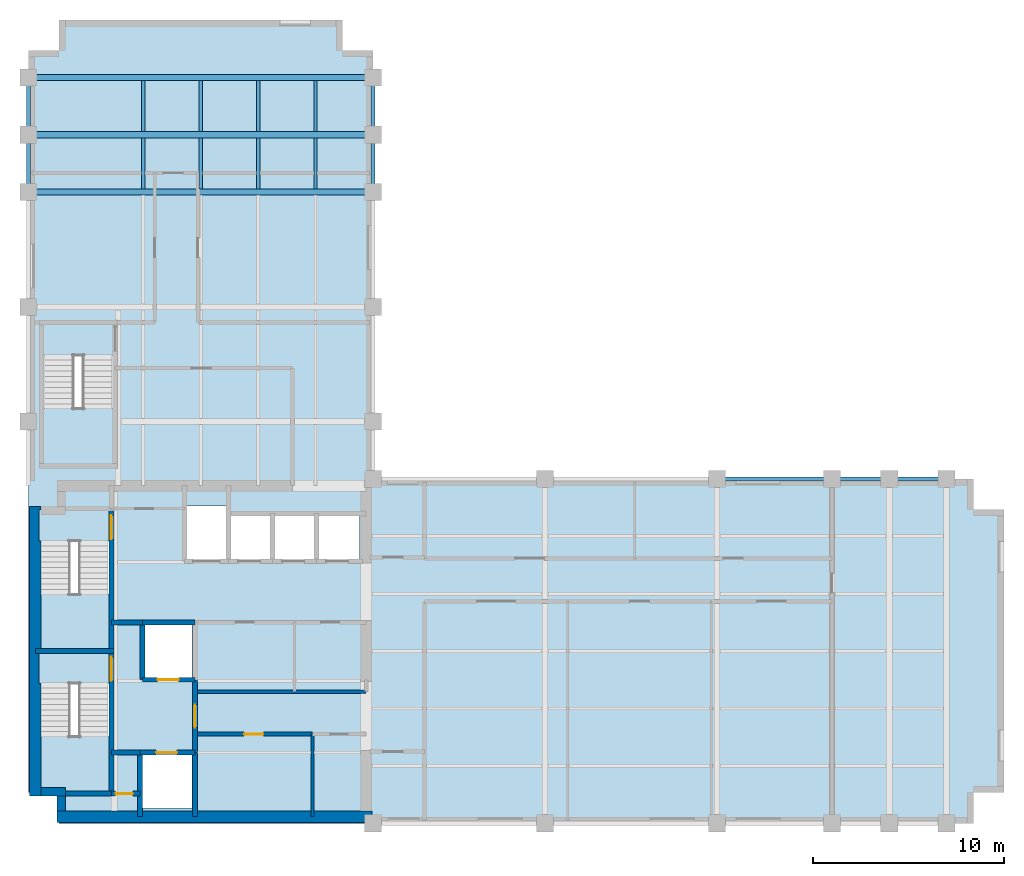
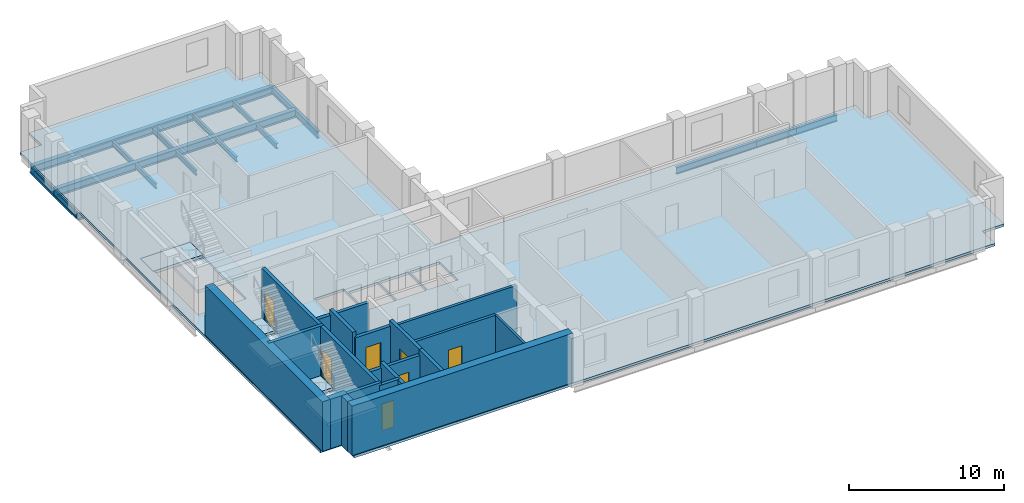
# One storey, part 2 of 6: 21 walls, 18 beams, 7 doors, 7 slabs, 7 openings, 3 elements without a shape of their own.
"""IFC4 building model written with IfcOpenShell, lengths in metres."""

from ifc_helpers import new_model, si_unit, direction, frame, frame_2d, origin, origin_2d, place, context, subcontext, project, spatial, polyline, rectangle, i_section, outline, extrude, material, layer, layer_set, material_profile, profile_set, type_object, element, fill, aggregate, save


model = new_model("IFC4")

# Units and contexts
model_context = context("Model", 3, precision=1e-05, world=origin(), true_north=direction((0.0, 1.0)))
body_context = subcontext(model_context, "Body", "Model", "MODEL_VIEW")
ifc_project = project(units=[si_unit("LENGTHUNIT", "METRE"), si_unit("AREAUNIT", "SQUARE_METRE"), si_unit("VOLUMEUNIT", "CUBIC_METRE"), si_unit("PLANEANGLEUNIT", "RADIAN"), si_unit("MASSUNIT", "GRAM", prefix="KILO")], contexts=[model_context])

# Site, building, storey
site_placement = place(None, origin())
site = spatial("IfcSite", under=ifc_project, at=site_placement, CompositionType="ELEMENT")
building_placement = place(site_placement, origin())
building = spatial("IfcBuilding", under=site, at=building_placement, Name="Mawjdan Bourse Tower", CompositionType="ELEMENT")
storey_placement = place(building_placement, frame((0.0, 0.0, 187.800048828125)))
storey = spatial("IfcBuildingStorey", under=building, at=storey_placement, Name="L45", CompositionType="ELEMENT", Elevation=187.800048828125)

# Beams
ifc_material_1 = material(Name="Structural Steel S355", Category="steel")
ifc_material_profile_1 = material_profile(ifc_material_1, i_section(OverallWidth=0.324951171875, OverallDepth=0.616943359375, WebThickness=0.013916015625, FlangeThickness=0.021484375, FilletRadius=0.017333984375, at=origin_2d()), Name="W24X117")
ifc_profile_set_1 = profile_set([ifc_material_profile_1], Name="Structural Steel S355")
beam_type_1 = type_object("IfcBeamType", Name="GRD-W24X117", PredefinedType="BEAM", material=ifc_profile_set_1)
for number, where, z_axis, x_axis, name in (
    (1, (6.0, 36.0, -0.508544921875), (1.0, 0.0, 0.0), (0.0, 1.0, 0.0), "L45 North Wing Clear-Span Girder 049"),
    (2, (6.0, 39.0, -0.508544921875), (1.0, 0.0, 0.0), (0.0, 1.0, 0.0), "L45 North Wing Clear-Span Girder 050"),
    (3, (6.0, 42.0, -0.508544921875), (1.0, 0.0, 0.0), (0.0, 1.0, 0.0), "L45 North Wing Clear-Span Girder 051"),
):
    element("IfcBeam", number, at=place(storey_placement, frame(where, z_axis=z_axis, x_axis=x_axis)), inside=storey, type_object=beam_type_1, Name=name, PredefinedType="BEAM", context=body_context, shape_type="SweptSolid", body=[
        extrude(i_section(OverallWidth=0.324951171875, OverallDepth=0.616943359375, WebThickness=0.013916015625, FlangeThickness=0.021484375, FilletRadius=0.017333984375, at=origin_2d()), origin(), (0.0, 0.0, 1.0), 18.0),
    ])
ifc_material_profile_2 = material_profile(ifc_material_1, i_section(OverallWidth=0.177978515625, OverallDepth=0.406982421875, WebThickness=0.0078125, FlangeThickness=0.0126953125, FilletRadius=0.01025390625, at=origin_2d()), Name="W16X40")
ifc_profile_set_2 = profile_set([ifc_material_profile_2], Name="Structural Steel S355")
beam_type_2 = type_object("IfcBeamType", Name="JST-W16X40", PredefinedType="JOIST", material=ifc_profile_set_2)
for number, where, z_axis, x_axis, name in (
    (4, (12.0, 36.160400390625, -0.403564453125), (0.0, 1.0, 0.0), (-1.0, 0.0, 0.0), "L45 North Wing Composite Joist 065"),
    (5, (12.0, 39.160400390625, -0.403564453125), (0.0, 1.0, 0.0), (-1.0, 0.0, 0.0), "L45 North Wing Composite Joist 066"),
    (6, (15.0, 36.160400390625, -0.403564453125), (0.0, 1.0, 0.0), (-1.0, 0.0, 0.0), "L45 North Wing Composite Joist 070"),
    (7, (15.0, 39.160400390625, -0.403564453125), (0.0, 1.0, 0.0), (-1.0, 0.0, 0.0), "L45 North Wing Composite Joist 071"),
    (8, (18.0, 36.160400390625, -0.403564453125), (0.0, 1.0, 0.0), (-1.0, 0.0, 0.0), "L45 North Wing Composite Joist 075"),
    (9, (18.0, 39.160400390625, -0.403564453125), (0.0, 1.0, 0.0), (-1.0, 0.0, 0.0), "L45 North Wing Composite Joist 076"),
    (10, (21.0, 36.160400390625, -0.403564453125), (0.0, 1.0, 0.0), (-1.0, 0.0, 0.0), "L45 North Wing Composite Joist 080"),
    (11, (21.0, 39.160400390625, -0.403564453125), (0.0, 1.0, 0.0), (-1.0, 0.0, 0.0), "L45 North Wing Composite Joist 081"),
):
    element("IfcBeam", number, at=place(storey_placement, frame(where, z_axis=z_axis, x_axis=x_axis)), inside=storey, type_object=beam_type_2, Name=name, PredefinedType="JOIST", context=body_context, shape_type="SweptSolid", body=[
        extrude(i_section(OverallWidth=0.177978515625, OverallDepth=0.406982421875, WebThickness=0.0078125, FlangeThickness=0.0126953125, FilletRadius=0.01025390625, at=origin_2d()), origin(), (0.0, 0.0, 1.0), 2.67919921875),
    ])
ifc_material_profile_3 = material_profile(ifc_material_1, i_section(OverallWidth=0.2119140625, OverallDepth=0.5439453125, WebThickness=0.01318359375, FlangeThickness=0.021240234375, FilletRadius=0.01708984375, at=origin_2d()), Name="W21X83")
ifc_profile_set_3 = profile_set([ifc_material_profile_3], Name="Structural Steel S355")
beam_type_3 = type_object("IfcBeamType", Name="SPN-W21X83", PredefinedType="SPANDREL", material=ifc_profile_set_3)
beam_placement = place(storey_placement, frame((42.0, 21.0, -0.47216796875), z_axis=(1.0, 0.0, 0.0), x_axis=(0.0, 1.0, 0.0)))
element("IfcBeam", 12, at=beam_placement, inside=storey, type_object=beam_type_3, Name="L45 Perimeter Masonry-Shelf Spandrel 014", PredefinedType="SPANDREL", context=body_context, shape_type="SweptSolid", body=[
    extrude(i_section(OverallWidth=0.2119140625, OverallDepth=0.5439453125, WebThickness=0.01318359375, FlangeThickness=0.021240234375, FilletRadius=0.01708984375, at=origin_2d()), origin(), (0.0, 0.0, 1.0), 6.0),
])
for number, where, z_axis, x_axis, name in (
    (13, (48.0, 21.0, -0.47216796875), (1.0, 0.0, 0.0), (0.0, 1.0, 0.0), "L45 Perimeter Masonry-Shelf Spandrel 015"),
    (14, (51.0, 21.0, -0.47216796875), (1.0, 0.0, 0.0), (0.0, 1.0, 0.0), "L45 Perimeter Masonry-Shelf Spandrel 016"),
    (15, (6.0, 36.0, -0.47216796875), (0.0, 1.0, 0.0), (-1.0, 0.0, 0.0), "L45 North Wing Spandrel 055"),
    (16, (6.0, 39.0, -0.47216796875), (0.0, 1.0, 0.0), (-1.0, 0.0, 0.0), "L45 North Wing Spandrel 056"),
    (17, (24.0, 36.0, -0.47216796875), (0.0, 1.0, 0.0), (-1.0, 0.0, 0.0), "L45 North Wing Spandrel 060"),
    (18, (24.0, 39.0, -0.47216796875), (0.0, 1.0, 0.0), (-1.0, 0.0, 0.0), "L45 North Wing Spandrel 061"),
):
    element("IfcBeam", number, at=place(storey_placement, frame(where, z_axis=z_axis, x_axis=x_axis)), inside=storey, type_object=beam_type_3, Name=name, PredefinedType="SPANDREL", context=body_context, shape_type="SweptSolid", body=[
        extrude(i_section(OverallWidth=0.2119140625, OverallDepth=0.5439453125, WebThickness=0.01318359375, FlangeThickness=0.021240234375, FilletRadius=0.01708984375, at=origin_2d()), origin(), (0.0, 0.0, 1.0), 3.0),
    ])

# Stair, slabs
ifc_material_2 = material(Name="Concrete C50/60", Category="concrete")
stair_type = type_object("IfcStairType", Name="STR-CORE-1500", PredefinedType="HALF_TURN_STAIR", material=ifc_material_2)
stair_1_placement = place(storey_placement, origin())
stair_1 = element("IfcStair", 19, at=stair_1_placement, inside=storey, type_object=stair_type, Name="L45 Exit Stair 1 (Core South-West)", PredefinedType="HALF_TURN_STAIR")
ifc_layer_1 = layer(ifc_material_2, 0.22998046875)
ifc_layer_set_1 = layer_set([ifc_layer_1], Name="Concrete C50/60")
slab_type_1 = type_object("IfcSlabType", Name="SL-LND-230", PredefinedType="LANDING", material=ifc_layer_set_1)
slab_1_placement = place(storey_placement, frame((0.0, 0.0, -0.22998046875)))
slab_1 = element("IfcSlab", 20, at=slab_1_placement, type_object=slab_type_1, Name="ST1-L45 landing 1", PredefinedType="LANDING", context=body_context, shape_type="SweptSolid", body=[
    extrude(outline(polyline([(6.5400390625, 10.31005859375), (10.260009765625, 10.31005859375), (10.260009765625, 11.969970703125), (6.5400390625, 11.969970703125), (6.5400390625, 10.31005859375)])), origin(), (0.0, 0.0, 1.0), 0.22998046875),
])
slab_2_placement = place(storey_placement, frame((0.0, 0.0, 1.719970703125)))
slab_2 = element("IfcSlab", 21, at=slab_2_placement, type_object=slab_type_1, Name="ST1-L45 landing 2", PredefinedType="LANDING", context=body_context, shape_type="SweptSolid", body=[
    extrude(outline(polyline([(6.5400390625, 4.590087890625), (10.260009765625, 4.590087890625), (10.260009765625, 7.5400390625), (6.5400390625, 7.5400390625), (6.5400390625, 4.590087890625)])), origin(), (0.0, 0.0, 1.0), 0.22998046875),
])
aggregate(stair_1, [slab_1, slab_2])

stair_2_placement = place(storey_placement, origin())
stair_2 = element("IfcStair", 22, at=stair_2_placement, inside=storey, type_object=stair_type, Name="L45 Exit Stair 2 (Core North-West)", PredefinedType="HALF_TURN_STAIR")
slab_3_placement = place(storey_placement, frame((0.0, 0.0, -0.22998046875)))
slab_3 = element("IfcSlab", 23, at=slab_3_placement, type_object=slab_type_1, Name="ST2-L45 landing 1", PredefinedType="LANDING", context=body_context, shape_type="SweptSolid", body=[
    extrude(outline(polyline([(6.5400390625, 17.75), (10.260009765625, 17.75), (10.260009765625, 19.409912109375), (6.5400390625, 19.409912109375), (6.5400390625, 17.75)])), origin(), (0.0, 0.0, 1.0), 0.22998046875),
])
slab_4_placement = place(storey_placement, frame((0.0, 0.0, 1.719970703125)))
slab_4 = element("IfcSlab", 24, at=slab_4_placement, type_object=slab_type_1, Name="ST2-L45 landing 2", PredefinedType="LANDING", context=body_context, shape_type="SweptSolid", body=[
    extrude(outline(polyline([(6.5400390625, 12.030029296875), (10.260009765625, 12.030029296875), (10.260009765625, 14.97998046875), (6.5400390625, 14.97998046875), (6.5400390625, 12.030029296875)])), origin(), (0.0, 0.0, 1.0), 0.22998046875),
])
aggregate(stair_2, [slab_3, slab_4])

stair_3_placement = place(storey_placement, origin())
stair_3 = element("IfcStair", 25, at=stair_3_placement, inside=storey, type_object=stair_type, Name="L45 Exit Stair 3 (North Wing)", PredefinedType="HALF_TURN_STAIR")
slab_5_placement = place(storey_placement, frame((0.0, 0.0, -0.22998046875)))
slab_5 = element("IfcSlab", 26, at=slab_5_placement, type_object=slab_type_1, Name="ST3-L45 landing 1", PredefinedType="LANDING", context=body_context, shape_type="SweptSolid", body=[
    extrude(outline(polyline([(6.739990234375, 27.4599609375), (10.4599609375, 27.4599609375), (10.4599609375, 29.1201171875), (6.739990234375, 29.1201171875), (6.739990234375, 27.4599609375)])), origin(), (0.0, 0.0, 1.0), 0.22998046875),
])
slab_6_placement = place(storey_placement, frame((0.0, 0.0, 1.719970703125)))
slab_6 = element("IfcSlab", 27, at=slab_6_placement, type_object=slab_type_1, Name="ST3-L45 landing 2", PredefinedType="LANDING", context=body_context, shape_type="SweptSolid", body=[
    extrude(outline(polyline([(6.739990234375, 21.739990234375), (10.4599609375, 21.739990234375), (10.4599609375, 24.68994140625), (6.739990234375, 24.68994140625), (6.739990234375, 21.739990234375)])), origin(), (0.0, 0.0, 1.0), 0.22998046875),
])
aggregate(stair_3, [slab_5, slab_6])

# Slab
ifc_layer_2 = layer(ifc_material_2, 0.199951171875)
ifc_layer_set_2 = layer_set([ifc_layer_2], Name="Concrete C50/60")
slab_type_2 = type_object("IfcSlabType", Name="SL-OFC-200", PredefinedType="FLOOR", material=ifc_layer_set_2)
slab_7_placement = place(storey_placement, frame((0.0, 0.0, -0.199951171875)))
element("IfcSlab", 28, at=slab_7_placement, inside=storey, type_object=slab_type_2, Name="L45 Structural Floor Slab 1", PredefinedType="FLOOR", context=body_context, shape_type="SweptSolid", body=[
    extrude(outline(polyline([(7.60009765625, 3.0), (55.39990234375, 3.0), (55.39990234375, 4.60009765625), (57.0, 4.60009765625), (57.0, 19.39990234375), (55.39990234375, 19.39990234375), (55.39990234375, 21.0), (24.0, 21.0), (24.0, 43.39990234375), (22.39990234375, 43.39990234375), (22.39990234375, 45.0), (7.60009765625, 45.0), (7.60009765625, 43.39990234375), (6.0, 43.39990234375), (6.0, 4.60009765625), (7.60009765625, 4.60009765625), (7.60009765625, 3.0)]), holes=[polyline([(6.5400390625, 11.969970703125), (10.260009765625, 11.969970703125), (10.260009765625, 10.31005859375), (10.199951171875, 10.31005859375), (10.199951171875, 4.64990234375), (6.60009765625, 4.64990234375), (6.60009765625, 10.31005859375), (6.5400390625, 10.31005859375), (6.5400390625, 11.969970703125)]), polyline([(6.60009765625, 12.090087890625), (6.60009765625, 17.75), (6.5400390625, 17.75), (6.5400390625, 19.409912109375), (10.260009765625, 19.409912109375), (10.260009765625, 17.75), (10.199951171875, 17.75), (10.199951171875, 12.090087890625), (6.60009765625, 12.090087890625)]), polyline([(10.4599609375, 29.1201171875), (10.4599609375, 27.4599609375), (10.39990234375, 27.4599609375), (10.39990234375, 21.800048828125), (6.800048828125, 21.800048828125), (6.800048828125, 27.4599609375), (6.739990234375, 27.4599609375), (6.739990234375, 29.1201171875), (10.4599609375, 29.1201171875)]), polyline([(14.550048828125, 3.800048828125), (11.949951171875, 3.800048828125), (11.949951171875, 6.60009765625), (14.550048828125, 6.60009765625), (14.550048828125, 3.800048828125)]), polyline([(12.050048828125, 10.60009765625), (12.050048828125, 13.39990234375), (14.550048828125, 13.39990234375), (14.550048828125, 10.60009765625), (12.050048828125, 10.60009765625)]), polyline([(16.5, 16.800048828125), (16.5, 19.14990234375), (18.699951171875, 19.14990234375), (18.699951171875, 16.800048828125), (16.5, 16.800048828125)]), polyline([(21.0, 16.800048828125), (18.800048828125, 16.800048828125), (18.800048828125, 19.14990234375), (21.0, 19.14990234375), (21.0, 16.800048828125)]), polyline([(21.10009765625, 16.800048828125), (21.10009765625, 19.14990234375), (23.300048828125, 19.14990234375), (23.300048828125, 16.800048828125), (21.10009765625, 16.800048828125)]), polyline([(14.199951171875, 16.800048828125), (14.199951171875, 19.60009765625), (16.39990234375, 19.60009765625), (16.39990234375, 16.800048828125), (14.199951171875, 16.800048828125)])]), origin(), (0.0, 0.0, 1.0), 0.199951171875),
])

# Wall, opening, door
ifc_material_3 = material(Name="Gypsum Fireboard Assembly")
ifc_layer_3 = layer(ifc_material_3, 0.199951171875)
ifc_layer_set_3 = layer_set([ifc_layer_3], Name="Gypsum Fireboard Assembly")
wall_type_1 = type_object("IfcWallType", Name="WL-CMP-200", PredefinedType="PARTITIONING", material=ifc_layer_set_3)
wall_1_placement = place(storey_placement, frame((14.699951171875, 7.659912109375, 0.0), z_axis=(0.0, 0.0, 1.0), x_axis=(1.0, 0.0, 0.0)))
wall_1 = element("IfcWall", 29, at=wall_1_placement, inside=storey, type_object=wall_type_1, Name="L45 Staff Wellness Lounge North Wall", PredefinedType="PARTITIONING", context=body_context, shape_type="SweptSolid", body=[
    extrude(rectangle(XDim=6.150146484375, YDim=0.199951171875, at=frame_2d((3.0751953125, 0.0))), origin(), (0.0, 0.0, 1.0), 3.68994140625),
])
opening_1_placement = place(wall_1_placement, frame((2.574951171875, 0.0, 0.0)))
opening_1 = element("IfcOpeningElement", 30, at=opening_1_placement, cuts=wall_1, Name="Opening D-L45-13", PredefinedType="OPENING", context=body_context, shape_type="SweptSolid", body=[
    extrude(rectangle(XDim=1.0, YDim=2.14990234375, at=frame_2d((0.5, 1.074951171875))), frame((0.0, 0.10986328125, 0.0), z_axis=(0.0, -1.0, 0.0), x_axis=(1.0, 0.0, 0.0)), (0.0, 0.0, 1.0), 0.219970703125),
])
ifc_material_4 = material(Name="Hardwood Acoustic Leaf", Category="wood")
door_type_1 = type_object("IfcDoorType", Name="DR-OFC-1000", OperationType="NOTDEFINED", PredefinedType="DOOR", material=ifc_material_4)
door_1_placement = place(opening_1_placement, origin())
door_1 = element("IfcDoor", 31, at=door_1_placement, inside=storey, type_object=door_type_1, Name="L45 Staff Wellness Lounge Door D-L45-13", OperationType="SINGLE_SWING_RIGHT", OverallHeight=2.14990234375, OverallWidth=1.0, PredefinedType="DOOR", context=body_context, shape_type="SweptSolid", body=[
    extrude(rectangle(XDim=1.0, YDim=2.14990234375, at=frame_2d((0.5, 1.074951171875))), frame((0.0, 0.02490234375, 0.0), z_axis=(0.0, -1.0, 0.0), x_axis=(1.0, 0.0, 0.0)), (0.0, 0.0, 1.0), 0.050048828125),
])
fill(opening_1, door_1)

# Walls
wall_2_placement = place(storey_placement, frame((14.824951171875, 9.8798828125, 0.0), z_axis=(0.0, 0.0, 1.0), x_axis=(1.0, 0.0, 0.0)))
element("IfcWall", 32, at=wall_2_placement, inside=storey, type_object=wall_type_1, Name="L45 Core Restroom Suite South Wall", PredefinedType="PARTITIONING", context=body_context, shape_type="SweptSolid", body=[
    extrude(rectangle(XDim=8.824951171875, YDim=0.199951171875, at=frame_2d((4.41259765625, 0.0))), origin(), (0.0, 0.0, 1.0), 3.68994140625),
])
ifc_material_5 = material(Name="Concrete C60/75", Category="concrete")
ifc_layer_4 = layer(ifc_material_5, 0.449951171875)
ifc_layer_set_4 = layer_set([ifc_layer_4], Name="Concrete C60/75")
wall_type_2 = type_object("IfcWallType", Name="WL-CORE-450", PredefinedType="SHEAR", material=ifc_layer_set_4)
wall_3_placement = place(storey_placement, frame((6.64990234375, 4.64990234375, 0.0), z_axis=(0.0, 0.0, 1.0), x_axis=(1.0, 0.0, 0.0)))
element("IfcWall", 33, at=wall_3_placement, inside=storey, type_object=wall_type_2, Name="L45 Rear Core Shear Wall SW-X", PredefinedType="SHEAR", context=body_context, shape_type="SweptSolid", body=[
    extrude(rectangle(XDim=1.275146484375, YDim=0.449951171875, at=frame_2d((0.6376953125, 0.0))), origin(), (0.0, 0.0, 1.0), 3.89990234375),
])
wall_4_placement = place(storey_placement, frame((7.699951171875, 3.64990234375, 0.0), z_axis=(0.0, 0.0, 1.0), x_axis=(0.0, 1.0, 0.0)))
element("IfcWall", 34, at=wall_4_placement, inside=storey, type_object=wall_type_2, Name="L45 Rear Core Shear Wall SW-Y", PredefinedType="SHEAR", context=body_context, shape_type="SweptSolid", body=[
    extrude(rectangle(XDim=0.775146484375, YDim=0.449951171875, at=frame_2d((0.3876953125, 0.0))), origin(), (0.0, 0.0, 1.0), 3.89990234375),
])
ifc_material_6 = material(Name="Concrete C70/85", Category="concrete")
ifc_layer_5 = layer(ifc_material_6, 0.60009765625)
ifc_layer_set_5 = layer_set([ifc_layer_5], Name="Concrete C70/85")
wall_type_3 = type_object("IfcWallType", Name="WL-CORE-600", PredefinedType="SHEAR", material=ifc_layer_set_5)
wall_5_placement = place(storey_placement, frame((7.47509765625, 3.35009765625, 0.0), z_axis=(0.0, 0.0, 1.0), x_axis=(1.0, 0.0, 0.0)))
element("IfcWall", 35, at=wall_5_placement, inside=storey, type_object=wall_type_3, Name="L45 Rear Core Shear Wall S", PredefinedType="SHEAR", context=body_context, shape_type="SweptSolid", body=[
    extrude(rectangle(XDim=16.474853515625, YDim=0.60009765625, at=frame_2d((8.2373046875, 0.0))), origin(), (0.0, 0.0, 1.0), 3.89990234375),
])
wall_6_placement = place(storey_placement, frame((6.35009765625, 4.425048828125, 0.0), z_axis=(0.0, 0.0, 1.0), x_axis=(0.0, 1.0, 0.0)))
element("IfcWall", 36, at=wall_6_placement, inside=storey, type_object=wall_type_3, Name="L45 Rear Core Shear Wall W", PredefinedType="SHEAR", context=body_context, shape_type="SweptSolid", body=[
    extrude(rectangle(XDim=15.14990234375, YDim=0.60009765625, at=frame_2d((7.574951171875, 0.0))), origin(), (0.0, 0.0, 1.0), 3.89990234375),
])
ifc_material_7 = material(Name="Gypsum Acoustic Partition")
ifc_layer_6 = layer(ifc_material_7, 0.14990234375)
ifc_layer_set_6 = layer_set([ifc_layer_6], Name="Gypsum Acoustic Partition")
wall_type_4 = type_object("IfcWallType", Name="WL-PRT-150", PredefinedType="PARTITIONING", material=ifc_layer_set_6)
wall_7_placement = place(storey_placement, frame((20.85009765625, 3.35009765625, 0.0), z_axis=(0.0, 0.0, 1.0), x_axis=(0.0, 1.0, 0.0)))
element("IfcWall", 37, at=wall_7_placement, inside=storey, type_object=wall_type_4, Name="L45 Telemetry Control Room Core Split Wall", PredefinedType="PARTITIONING", context=body_context, shape_type="SweptSolid", body=[
    extrude(rectangle(XDim=4.309814453125, YDim=0.14990234375, at=frame_2d((2.15478515625, 0.0))), origin(), (0.0, 0.0, 1.0), 3.68994140625),
])

# Wall, opening, door
ifc_layer_7 = layer(ifc_material_2, 0.25)
ifc_layer_set_7 = layer_set([ifc_layer_7], Name="Concrete C50/60")
wall_type_5 = type_object("IfcWallType", Name="WL-SHFT-250", PredefinedType="PARTITIONING", material=ifc_layer_set_7)
wall_8_placement = place(storey_placement, frame((10.330078125, 4.550048828125, 0.0), z_axis=(0.0, 0.0, 1.0), x_axis=(1.0, 0.0, 0.0)))
wall_8 = element("IfcWall", 38, at=wall_8_placement, inside=storey, type_object=wall_type_5, Name="L45 SW Riser North Wall", PredefinedType="PARTITIONING", context=body_context, shape_type="SweptSolid", body=[
    extrude(rectangle(XDim=1.489990234375, YDim=0.25, at=frame_2d((0.7451171875, 0.0))), origin(), (0.0, 0.0, 1.0), 3.68994140625),
])
opening_2_placement = place(wall_8_placement, frame((0.219970703125, 0.0, 0.0)))
opening_2 = element("IfcOpeningElement", 39, at=opening_2_placement, cuts=wall_8, Name="Opening RD-L45-03", PredefinedType="OPENING", context=body_context, shape_type="SweptSolid", body=[
    extrude(rectangle(XDim=0.89990234375, YDim=2.10009765625, at=frame_2d((0.449951171875, 1.050048828125))), frame((0.0, 0.135009765625, 0.0), z_axis=(0.0, -1.0, 0.0), x_axis=(1.0, 0.0, 0.0)), (0.0, 0.0, 1.0), 0.27001953125),
])
ifc_material_8 = material(Name="Fire-Rated Steel Access Leaf", Category="steel")
door_type_2 = type_object("IfcDoorType", Name="FD-RSR-0900", OperationType="NOTDEFINED", PredefinedType="TRAPDOOR", material=ifc_material_8)
door_2_placement = place(opening_2_placement, origin())
door_2 = element("IfcDoor", 40, at=door_2_placement, inside=storey, type_object=door_type_2, Name="L45 Electrical Riser Access Door RD-L45-03", OperationType="SINGLE_SWING_RIGHT", OverallHeight=2.10009765625, OverallWidth=0.89990234375, PredefinedType="TRAPDOOR", context=body_context, shape_type="SweptSolid", body=[
    extrude(rectangle(XDim=0.89990234375, YDim=2.10009765625, at=frame_2d((0.449951171875, 1.050048828125))), frame((0.0, 0.02490234375, 0.0), z_axis=(0.0, -1.0, 0.0), x_axis=(1.0, 0.0, 0.0)), (0.0, 0.0, 1.0), 0.050048828125),
])
fill(opening_2, door_2)

# Wall
wall_9_placement = place(storey_placement, frame((11.820068359375, 3.35009765625, 0.0), z_axis=(0.0, 0.0, 1.0), x_axis=(0.0, 1.0, 0.0)))
element("IfcWall", 41, at=wall_9_placement, inside=storey, type_object=wall_type_5, Name="L45 SW Riser & FFL01 West Wall", PredefinedType="PARTITIONING", context=body_context, shape_type="SweptSolid", body=[
    extrude(rectangle(XDim=3.349853515625, YDim=0.25, at=frame_2d((1.6748046875, 0.0))), origin(), (0.0, 0.0, 1.0), 3.68994140625),
])

# Wall, opening, door
wall_10_placement = place(storey_placement, frame((11.820068359375, 6.699951171875, 0.0), z_axis=(0.0, 0.0, 1.0), x_axis=(1.0, 0.0, 0.0)))
wall_10 = element("IfcWall", 42, at=wall_10_placement, inside=storey, type_object=wall_type_5, Name="L45 FFL-01 Front Shaft Wall", PredefinedType="PARTITIONING", context=body_context, shape_type="SweptSolid", body=[
    extrude(rectangle(XDim=2.8798828125, YDim=0.25, at=frame_2d((1.43994140625, 0.0))), origin(), (0.0, 0.0, 1.0), 3.282958984375),
])
opening_3_placement = place(wall_10_placement, frame((0.85009765625, 0.0, 0.0)))
opening_3 = element("IfcOpeningElement", 43, at=opening_3_placement, cuts=wall_10, Name="Opening LD-L45-05", PredefinedType="OPENING", context=body_context, shape_type="SweptSolid", body=[
    extrude(rectangle(XDim=1.10009765625, YDim=2.25, at=frame_2d((0.550048828125, 1.125))), frame((0.0, 0.135009765625, 0.0), z_axis=(0.0, -1.0, 0.0), x_axis=(1.0, 0.0, 0.0)), (0.0, 0.0, 1.0), 0.27001953125),
])
ifc_material_9 = material(Name="Brushed Stainless Steel", Category="steel")
door_type_3 = type_object("IfcDoorType", Name="LD-FFL-1100", OperationType="DOUBLE_DOOR_SLIDING", PredefinedType="DOOR", material=ifc_material_9)
door_3_placement = place(opening_3_placement, origin())
door_3 = element("IfcDoor", 44, at=door_3_placement, inside=storey, type_object=door_type_3, Name="L45 Firefighting Lift FFL-01 Landing Door LD-L45-05", OperationType="DOUBLE_DOOR_SLIDING", OverallHeight=2.25, OverallWidth=1.10009765625, PredefinedType="DOOR", context=body_context, shape_type="SweptSolid", body=[
    extrude(rectangle(XDim=1.10009765625, YDim=2.25, at=frame_2d((0.550048828125, 1.125))), frame((0.0, 0.02490234375, 0.0), z_axis=(0.0, -1.0, 0.0), x_axis=(1.0, 0.0, 0.0)), (0.0, 0.0, 1.0), 0.050048828125),
])
fill(opening_3, door_3)

# Wall
wall_11_placement = place(storey_placement, frame((14.699951171875, 3.35009765625, 0.0), z_axis=(0.0, 0.0, 1.0), x_axis=(0.0, 1.0, 0.0)))
element("IfcWall", 45, at=wall_11_placement, inside=storey, type_object=wall_type_5, Name="L45 FFL-01 East Shaft Wall", PredefinedType="PARTITIONING", context=body_context, shape_type="SweptSolid", body=[
    extrude(rectangle(XDim=3.349853515625, YDim=0.25, at=frame_2d((1.6748046875, 0.0))), origin(), (0.0, 0.0, 1.0), 3.68994140625),
])

# Wall, opening, door
wall_12_placement = place(storey_placement, frame((11.949951171875, 10.5, 0.0), z_axis=(0.0, 0.0, 1.0), x_axis=(1.0, 0.0, 0.0)))
wall_12 = element("IfcWall", 46, at=wall_12_placement, inside=storey, type_object=wall_type_5, Name="L45 FFL-02 Front Shaft Wall", PredefinedType="PARTITIONING", context=body_context, shape_type="SweptSolid", body=[
    extrude(rectangle(XDim=2.75, YDim=0.25, at=frame_2d((1.375, 0.0))), origin(), (0.0, 0.0, 1.0), 3.282958984375),
])
opening_4_placement = place(wall_12_placement, frame((0.800048828125, 0.0, 0.0)))
opening_4 = element("IfcOpeningElement", 47, at=opening_4_placement, cuts=wall_12, Name="Opening LD-L45-06", PredefinedType="OPENING", context=body_context, shape_type="SweptSolid", body=[
    extrude(rectangle(XDim=1.10009765625, YDim=2.25, at=frame_2d((0.550048828125, 1.125))), frame((0.0, 0.135009765625, 0.0), z_axis=(0.0, -1.0, 0.0), x_axis=(1.0, 0.0, 0.0)), (0.0, 0.0, 1.0), 0.27001953125),
])
door_4_placement = place(opening_4_placement, origin())
door_4 = element("IfcDoor", 48, at=door_4_placement, inside=storey, type_object=door_type_3, Name="L45 Firefighting Lift FFL-02 Landing Door LD-L45-06", OperationType="DOUBLE_DOOR_SLIDING", OverallHeight=2.25, OverallWidth=1.10009765625, PredefinedType="DOOR", context=body_context, shape_type="SweptSolid", body=[
    extrude(rectangle(XDim=1.10009765625, YDim=2.25, at=frame_2d((0.550048828125, 1.125))), frame((0.0, 0.02490234375, 0.0), z_axis=(0.0, -1.0, 0.0), x_axis=(1.0, 0.0, 0.0)), (0.0, 0.0, 1.0), 0.050048828125),
])
fill(opening_4, door_4)

# Walls
wall_13_placement = place(storey_placement, frame((11.949951171875, 10.5, 0.0), z_axis=(0.0, 0.0, 1.0), x_axis=(0.0, 1.0, 0.0)))
element("IfcWall", 49, at=wall_13_placement, inside=storey, type_object=wall_type_5, Name="L45 FFL-02 West Shaft Wall", PredefinedType="PARTITIONING", context=body_context, shape_type="SweptSolid", body=[
    extrude(rectangle(XDim=3.0, YDim=0.25, at=frame_2d((1.5, 0.0))), origin(), (0.0, 0.0, 1.0), 3.68994140625),
])
wall_14_placement = place(storey_placement, frame((11.949951171875, 13.5, 0.0), z_axis=(0.0, 0.0, 1.0), x_axis=(1.0, 0.0, 0.0)))
element("IfcWall", 50, at=wall_14_placement, inside=storey, type_object=wall_type_5, Name="L45 FFL-02 North Shaft Wall", PredefinedType="PARTITIONING", context=body_context, shape_type="SweptSolid", body=[
    extrude(rectangle(XDim=2.75, YDim=0.25, at=frame_2d((1.375, 0.0))), origin(), (0.0, 0.0, 1.0), 3.282958984375),
])

# Wall, opening, door
wall_15_placement = place(storey_placement, frame((14.699951171875, 6.699951171875, 0.0), z_axis=(0.0, 0.0, 1.0), x_axis=(0.0, 1.0, 0.0)))
wall_15 = element("IfcWall", 51, at=wall_15_placement, inside=storey, type_object=wall_type_5, Name="L45 Firefighting Lobby East Compartment Wall", PredefinedType="PARTITIONING", context=body_context, shape_type="SweptSolid", body=[
    extrude(rectangle(XDim=3.800048828125, YDim=0.25, at=frame_2d((1.89990234375, 0.0))), origin(), (0.0, 0.0, 1.0), 3.68994140625),
])
opening_5_placement = place(wall_15_placement, frame((1.300048828125, 0.0, 0.0)))
opening_5 = element("IfcOpeningElement", 52, at=opening_5_placement, cuts=wall_15, Name="Opening FD-L45-07", PredefinedType="OPENING", context=body_context, shape_type="SweptSolid", body=[
    extrude(rectangle(XDim=1.199951171875, YDim=2.199951171875, at=frame_2d((0.60009765625, 1.10009765625))), frame((0.0, 0.135009765625, 0.0), z_axis=(0.0, -1.0, 0.0), x_axis=(1.0, 0.0, 0.0)), (0.0, 0.0, 1.0), 0.27001953125),
])
ifc_material_10 = material(Name="Fire-Rated Steel Leaf", Category="steel")
door_type_4 = type_object("IfcDoorType", Name="FD-FFL-1200", OperationType="NOTDEFINED", PredefinedType="DOOR", material=ifc_material_10)
door_5_placement = place(opening_5_placement, origin())
door_5 = element("IfcDoor", 53, at=door_5_placement, inside=storey, type_object=door_type_4, Name="L45 Firefighting Lobby East Smoke Door FD-L45-07", OperationType="SINGLE_SWING_RIGHT", OverallHeight=2.199951171875, OverallWidth=1.199951171875, PredefinedType="DOOR", context=body_context, shape_type="SweptSolid", body=[
    extrude(rectangle(XDim=1.199951171875, YDim=2.199951171875, at=frame_2d((0.60009765625, 1.10009765625))), frame((0.0, 0.02490234375, 0.0), z_axis=(0.0, -1.0, 0.0), x_axis=(1.0, 0.0, 0.0)), (0.0, 0.0, 1.0), 0.050048828125),
])
fill(opening_5, door_5)

# Walls
wall_16_placement = place(storey_placement, frame((10.330078125, 13.5, 0.0), z_axis=(0.0, 0.0, 1.0), x_axis=(1.0, 0.0, 0.0)))
element("IfcWall", 54, at=wall_16_placement, inside=storey, type_object=wall_type_5, Name="L45 Firefighting Lobby North Compartment Wall", PredefinedType="PARTITIONING", context=body_context, shape_type="SweptSolid", body=[
    extrude(rectangle(XDim=1.619873046875, YDim=0.25, at=frame_2d((0.81005859375, 0.0))), origin(), (0.0, 0.0, 1.0), 3.282958984375),
])
wall_17_placement = place(storey_placement, frame((10.330078125, 6.699951171875, 0.0), z_axis=(0.0, 0.0, 1.0), x_axis=(1.0, 0.0, 0.0)))
element("IfcWall", 55, at=wall_17_placement, inside=storey, type_object=wall_type_5, Name="L45 Firefighting Lobby South Closure Wall", PredefinedType="PARTITIONING", context=body_context, shape_type="SweptSolid", body=[
    extrude(rectangle(XDim=1.489990234375, YDim=0.25, at=frame_2d((0.7451171875, 0.0))), origin(), (0.0, 0.0, 1.0), 3.282958984375),
])
ifc_layer_8 = layer(ifc_material_2, 0.25)
ifc_layer_set_8 = layer_set([ifc_layer_8], Name="Concrete C50/60")
wall_type_6 = type_object("IfcWallType", Name="WL-STRW-250", PredefinedType="SHEAR", material=ifc_layer_set_8)
wall_18_placement = place(storey_placement, frame((6.35009765625, 12.0, 0.0), z_axis=(0.0, 0.0, 1.0), x_axis=(1.0, 0.0, 0.0)))
element("IfcWall", 56, at=wall_18_placement, inside=storey, type_object=wall_type_6, Name="L45 Stairwell Dividing Shaft Wall", PredefinedType="SHEAR", context=body_context, shape_type="SweptSolid", body=[
    extrude(rectangle(XDim=4.10498046875, YDim=0.25, at=frame_2d((2.052490234375, 0.0))), origin(), (0.0, 0.0, 1.0), 3.89990234375),
])
wall_19_placement = place(storey_placement, frame((7.699951171875, 4.550048828125, 0.0), z_axis=(0.0, 0.0, 1.0), x_axis=(1.0, 0.0, 0.0)))
element("IfcWall", 57, at=wall_19_placement, inside=storey, type_object=wall_type_6, Name="L45 Stairwell ST1 South Shaft Wall", PredefinedType="SHEAR", context=body_context, shape_type="SweptSolid", body=[
    extrude(rectangle(XDim=2.755126953125, YDim=0.25, at=frame_2d((1.37744140625, 0.0))), origin(), (0.0, 0.0, 1.0), 3.89990234375),
])

# Wall, opening, door
wall_20_placement = place(storey_placement, frame((10.330078125, 4.550048828125, 0.0), z_axis=(0.0, 0.0, 1.0), x_axis=(0.0, 1.0, 0.0)))
wall_20 = element("IfcWall", 58, at=wall_20_placement, inside=storey, type_object=wall_type_6, Name="L45 Stairwell ST1 East Enclosure Wall", PredefinedType="SHEAR", context=body_context, shape_type="SweptSolid", body=[
    extrude(rectangle(XDim=7.449951171875, YDim=0.25, at=frame_2d((3.72509765625, 0.0))), origin(), (0.0, 0.0, 1.0), 3.89990234375),
])
opening_6_placement = place(wall_20_placement, frame((5.89990234375, 0.0, 0.0)))
opening_6 = element("IfcOpeningElement", 59, at=opening_6_placement, cuts=wall_20, Name="Opening SD-L45-01", PredefinedType="OPENING", context=body_context, shape_type="SweptSolid", body=[
    extrude(rectangle(XDim=1.25, YDim=2.199951171875, at=frame_2d((0.625, 1.10009765625))), frame((0.0, 0.135009765625, 0.0), z_axis=(0.0, -1.0, 0.0), x_axis=(1.0, 0.0, 0.0)), (0.0, 0.0, 1.0), 0.27001953125),
])
door_type_5 = type_object("IfcDoorType", Name="FD-ST-1250", OperationType="NOTDEFINED", PredefinedType="DOOR", material=ifc_material_10)
door_6_placement = place(opening_6_placement, origin())
door_6 = element("IfcDoor", 60, at=door_6_placement, inside=storey, type_object=door_type_5, Name="L45 Exit Stair ST1 Fire Door SD-L45-01", OperationType="SINGLE_SWING_RIGHT", OverallHeight=2.199951171875, OverallWidth=1.25, PredefinedType="DOOR", context=body_context, shape_type="SweptSolid", body=[
    extrude(rectangle(XDim=1.25, YDim=2.199951171875, at=frame_2d((0.625, 1.10009765625))), frame((0.0, 0.02490234375, 0.0), z_axis=(0.0, -1.0, 0.0), x_axis=(1.0, 0.0, 0.0)), (0.0, 0.0, 1.0), 0.050048828125),
])
fill(opening_6, door_6)

wall_21_placement = place(storey_placement, frame((10.330078125, 12.0, 0.0), z_axis=(0.0, 0.0, 1.0), x_axis=(0.0, 1.0, 0.0)))
wall_21 = element("IfcWall", 61, at=wall_21_placement, inside=storey, type_object=wall_type_6, Name="L45 Stairwell ST2 East Enclosure Wall", PredefinedType="SHEAR", context=body_context, shape_type="SweptSolid", body=[
    extrude(rectangle(XDim=7.449951171875, YDim=0.25, at=frame_2d((3.72509765625, 0.0))), origin(), (0.0, 0.0, 1.0), 3.89990234375),
])
opening_7_placement = place(wall_21_placement, frame((5.85009765625, 0.0, 0.0)))
opening_7 = element("IfcOpeningElement", 62, at=opening_7_placement, cuts=wall_21, Name="Opening SD-L45-02", PredefinedType="OPENING", context=body_context, shape_type="SweptSolid", body=[
    extrude(rectangle(XDim=1.25, YDim=2.199951171875, at=frame_2d((0.625, 1.10009765625))), frame((0.0, 0.135009765625, 0.0), z_axis=(0.0, -1.0, 0.0), x_axis=(1.0, 0.0, 0.0)), (0.0, 0.0, 1.0), 0.27001953125),
])
door_7_placement = place(opening_7_placement, origin())
door_7 = element("IfcDoor", 63, at=door_7_placement, inside=storey, type_object=door_type_5, Name="L45 Exit Stair ST2 Fire Door SD-L45-02", OperationType="SINGLE_SWING_LEFT", OverallHeight=2.199951171875, OverallWidth=1.25, PredefinedType="DOOR", context=body_context, shape_type="SweptSolid", body=[
    extrude(rectangle(XDim=1.25, YDim=2.199951171875, at=frame_2d((0.625, 1.10009765625))), frame((0.0, 0.02490234375, 0.0), z_axis=(0.0, -1.0, 0.0), x_axis=(1.0, 0.0, 0.0)), (0.0, 0.0, 1.0), 0.050048828125),
])
fill(opening_7, door_7)

save(model, "model.ifc")
